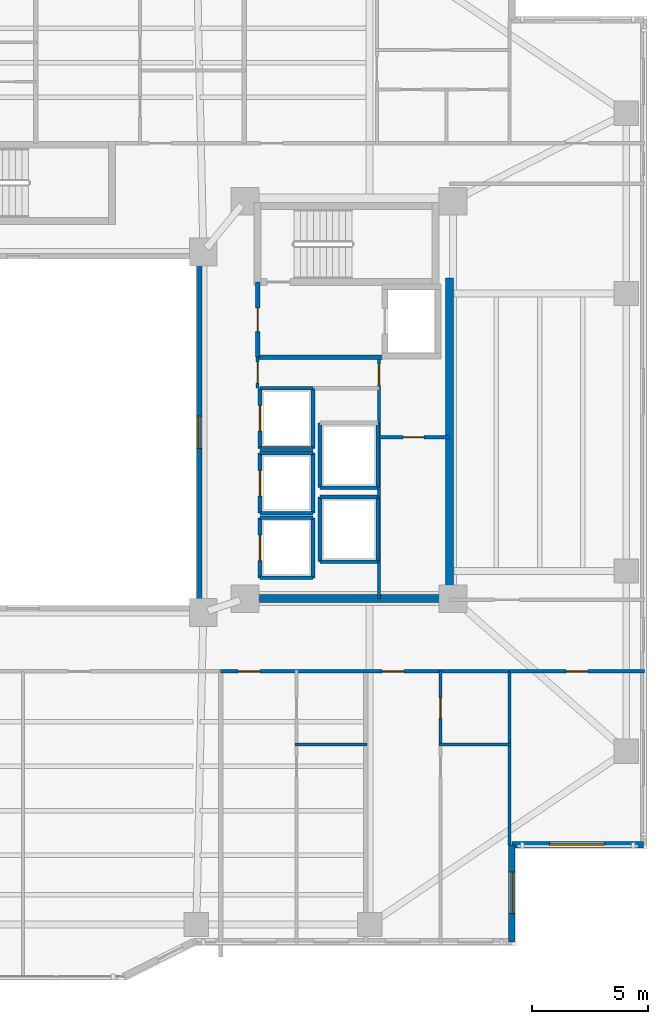
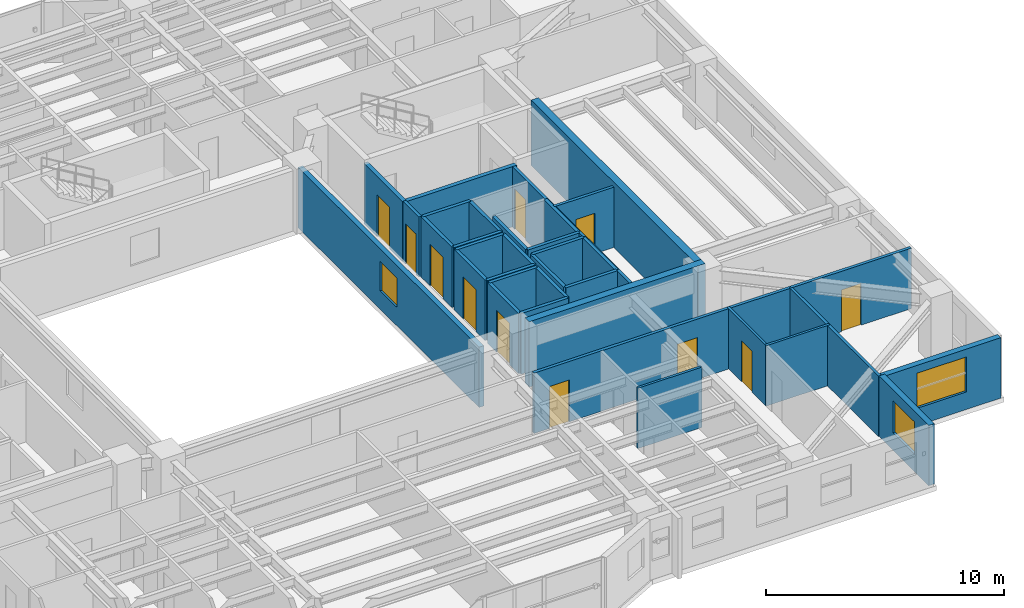
# One storey, part 8 of 18: 35 walls, 11 doors, 3 windows, 14 openings.
"""IFC4 building model written with IfcOpenShell, lengths in metres."""

from ifc_helpers import new_model, si_unit, direction, frame, frame_2d, origin, place, context, subcontext, project, spatial, rectangle, extrude, material, layer, layer_set, type_object, element, fill, save


model = new_model("IFC4")

# Units and contexts
model_context = context("Model", 3, precision=1e-05, world=origin(), true_north=direction((0.0, 1.0)))
body_context = subcontext(model_context, "Body", "Model", "MODEL_VIEW")
ifc_project = project(units=[si_unit("LENGTHUNIT", "METRE"), si_unit("AREAUNIT", "SQUARE_METRE"), si_unit("VOLUMEUNIT", "CUBIC_METRE"), si_unit("PLANEANGLEUNIT", "RADIAN"), si_unit("MASSUNIT", "GRAM", prefix="KILO")], contexts=[model_context])

# Site, building, storey
site_placement = place(None, origin())
site = spatial("IfcSite", under=ifc_project, at=site_placement, CompositionType="ELEMENT")
building_placement = place(site_placement, origin())
building = spatial("IfcBuilding", under=site, at=building_placement, Name="Tarnavaz Court Tower", CompositionType="ELEMENT")
storey_placement = place(building_placement, frame((0.0, 0.0, 101.75)))
storey = spatial("IfcBuildingStorey", under=building, at=storey_placement, Name="L27", CompositionType="ELEMENT", Elevation=101.75)

# Walls
ifc_material_1 = material(Name="Concrete C60/75", Category="concrete")
ifc_layer_1 = layer(ifc_material_1, 0.35009765625)
ifc_layer_set_1 = layer_set([ifc_layer_1], Name="Concrete C60/75")
wall_type_1 = type_object("IfcWallType", Name="WL-CORE-350-C60", PredefinedType="SHEAR", material=ifc_layer_set_1)
wall_1_placement = place(storey_placement, frame((18.449951171875, -7.375, 0.0), z_axis=(0.0, 0.0, 1.0), x_axis=(0.0, 1.0, 0.0)))
element("IfcWall", 1, at=wall_1_placement, inside=storey, type_object=wall_type_1, Name="L27 East Core Shear Wall 059", PredefinedType="SHEAR", context=body_context, shape_type="SweptSolid", body=[
    extrude(rectangle(XDim=14.050048828125, YDim=0.35009765625, at=frame_2d((7.02490234375, 0.0))), origin(), (0.0, 0.0, 1.0), 3.35009765625),
])
wall_2_placement = place(storey_placement, frame((10.074951171875, -7.199951171875, 0.0), z_axis=(0.0, 0.0, 1.0), x_axis=(1.0, 0.0, 0.0)))
element("IfcWall", 2, at=wall_2_placement, inside=storey, type_object=wall_type_1, Name="L27 East Core South Shear Wall 060", PredefinedType="SHEAR", context=body_context, shape_type="SweptSolid", body=[
    extrude(rectangle(XDim=8.550048828125, YDim=0.35009765625, at=frame_2d((4.27490234375, 0.0))), origin(), (0.0, 0.0, 1.0), 3.35009765625),
])

# Wall, opening, window
ifc_material_2 = material(Name="Precast Concrete C40/50", Category="concrete")
ifc_layer_2 = layer(ifc_material_2, 0.280029296875)
ifc_layer_set_2 = layer_set([ifc_layer_2], Name="Precast Concrete C40/50")
wall_type_2 = type_object("IfcWallType", Name="WL-EXT-280", PredefinedType="SOLIDWALL", material=ifc_layer_set_2)
wall_3_placement = place(storey_placement, frame((26.85009765625, -17.85009765625, 0.0), z_axis=(0.0, 0.0, 1.0), x_axis=(-1.0, 0.0, 0.0)))
wall_3 = element("IfcWall", 3, at=wall_3_placement, inside=storey, type_object=wall_type_2, Name="L27 Exterior Terracotta Facade Wall 13", PredefinedType="SOLIDWALL", context=body_context, shape_type="SweptSolid", body=[
    extrude(rectangle(XDim=5.7001953125, YDim=0.280029296875, at=frame_2d((2.85009765625, 0.0))), origin(), (0.0, 0.0, 1.0), 3.10009765625),
])
opening_1_placement = place(wall_3_placement, frame((1.675048828125, 0.0, 0.89990234375)))
opening_1 = element("IfcOpeningElement", 4, at=opening_1_placement, cuts=wall_3, Name="Opening W06", PredefinedType="OPENING", context=body_context, shape_type="SweptSolid", body=[
    extrude(rectangle(XDim=2.39990234375, YDim=1.800048828125, at=frame_2d((1.199951171875, 0.89990234375))), frame((0.0, 0.14990234375, 0.0), z_axis=(0.0, -1.0, 0.0), x_axis=(1.0, 0.0, 0.0)), (0.0, 0.0, 1.0), 0.300048828125),
])
ifc_material_3 = material(Name="Double-Glazed Solar Low-E Glass", Category="glass")
window_type_1 = type_object("IfcWindowType", Name="WN-APT-2400", PartitioningType="TRIPLE_PANEL_VERTICAL", PredefinedType="WINDOW", material=ifc_material_3)
window_1_placement = place(opening_1_placement, origin())
window_1 = element("IfcWindow", 5, at=window_1_placement, inside=storey, type_object=window_type_1, Name="L27 South-East Corner Reading Room Window", OverallHeight=1.800048828125, OverallWidth=2.39990234375, PartitioningType="SINGLE_PANEL", PredefinedType="WINDOW", context=body_context, shape_type="SweptSolid", body=[
    extrude(rectangle(XDim=2.39990234375, YDim=1.800048828125, at=frame_2d((1.199951171875, 0.89990234375))), frame((0.0, 0.030029296875, 0.0), z_axis=(0.0, -1.0, 0.0), x_axis=(1.0, 0.0, 0.0)), (0.0, 0.0, 1.0), 0.06005859375),
])
fill(opening_1, window_1)

wall_4_placement = place(storey_placement, frame((21.14990234375, -17.85009765625, 0.0), z_axis=(0.0, 0.0, 1.0), x_axis=(0.0, -1.0, 0.0)))
wall_4 = element("IfcWall", 6, at=wall_4_placement, inside=storey, type_object=wall_type_2, Name="L27 Exterior Terracotta Facade Wall 14", PredefinedType="SOLIDWALL", context=body_context, shape_type="SweptSolid", body=[
    extrude(rectangle(XDim=4.199951171875, YDim=0.280029296875, at=frame_2d((2.10009765625, 0.0))), origin(), (0.0, 0.0, 1.0), 3.10009765625),
])
opening_2_placement = place(wall_4_placement, frame((1.18212890625, 0.0, 0.89990234375)))
opening_2 = element("IfcOpeningElement", 7, at=opening_2_placement, cuts=wall_4, Name="Opening W01", PredefinedType="OPENING", context=body_context, shape_type="SweptSolid", body=[
    extrude(rectangle(XDim=1.800048828125, YDim=1.64990234375, at=frame_2d((0.89990234375, 0.824951171875))), frame((0.0, 0.14990234375, 0.0), z_axis=(0.0, -1.0, 0.0), x_axis=(1.0, 0.0, 0.0)), (0.0, 0.0, 1.0), 0.300048828125),
])
window_type_2 = type_object("IfcWindowType", Name="WN-APT-1800", PartitioningType="DOUBLE_PANEL_VERTICAL", PredefinedType="WINDOW", material=ifc_material_3)
window_2_placement = place(opening_2_placement, origin())
window_2 = element("IfcWindow", 8, at=window_2_placement, inside=storey, type_object=window_type_2, Name="L27 Flat 08 Kitchen Window", OverallHeight=1.64990234375, OverallWidth=1.800048828125, PartitioningType="SINGLE_PANEL", PredefinedType="WINDOW", context=body_context, shape_type="SweptSolid", body=[
    extrude(rectangle(XDim=1.800048828125, YDim=1.64990234375, at=frame_2d((0.89990234375, 0.824951171875))), frame((0.0, 0.030029296875, 0.0), z_axis=(0.0, -1.0, 0.0), x_axis=(1.0, 0.0, 0.0)), (0.0, 0.0, 1.0), 0.06005859375),
])
fill(opening_2, window_2)

# Wall, openings, doors
ifc_material_4 = material(Name="Gypsum Fire-Board on Acoustic Metal Stud", Category="masonry")
ifc_layer_3 = layer(ifc_material_4, 0.14990234375)
ifc_layer_set_3 = layer_set([ifc_layer_3], Name="Gypsum Fire-Board on Acoustic Metal Stud")
wall_type_3 = type_object("IfcWallType", Name="WL-FIRE-150", PredefinedType="PARTITIONING", material=ifc_layer_set_3)
wall_5_placement = place(storey_placement, frame((8.550048828125, -10.35009765625, 0.0), z_axis=(0.0, 0.0, 1.0), x_axis=(1.0, 0.0, 0.0)))
wall_5 = element("IfcWall", 9, at=wall_5_placement, inside=storey, type_object=wall_type_3, Name="L27 SE Horseshoe Wall 075", PredefinedType="PARTITIONING", context=body_context, shape_type="SweptSolid", body=[
    extrude(rectangle(XDim=12.5, YDim=0.14990234375, at=frame_2d((6.25, 0.0))), origin(), (0.0, 0.0, 1.0), 3.10009765625),
])
opening_3_placement = place(wall_5_placement, frame((0.75, 0.0, 0.0)))
opening_3 = element("IfcOpeningElement", 10, at=opening_3_placement, cuts=wall_5, Name="Opening D06", PredefinedType="OPENING", context=body_context, shape_type="SweptSolid", body=[
    extrude(rectangle(XDim=0.9599609375, YDim=2.14990234375, at=frame_2d((0.47998046875, 1.074951171875))), frame((0.0, 0.0849609375, 0.0), z_axis=(0.0, -1.0, 0.0), x_axis=(1.0, 0.0, 0.0)), (0.0, 0.0, 1.0), 0.169921875),
])
opening_4_placement = place(wall_5_placement, frame((6.97509765625, 0.0, 0.0)))
opening_4 = element("IfcOpeningElement", 11, at=opening_4_placement, cuts=wall_5, Name="Opening D06", PredefinedType="OPENING", context=body_context, shape_type="SweptSolid", body=[
    extrude(rectangle(XDim=0.9599609375, YDim=2.14990234375, at=frame_2d((0.47998046875, 1.074951171875))), frame((0.0, 0.0849609375, 0.0), z_axis=(0.0, -1.0, 0.0), x_axis=(1.0, 0.0, 0.0)), (0.0, 0.0, 1.0), 0.169921875),
])
ifc_material_5 = material(Name="Fire-Rated Hardwood Timber Core", Category="wood")
door_type_1 = type_object("IfcDoorType", Name="DR-FD60-950", OperationType="NOTDEFINED", PredefinedType="DOOR", material=ifc_material_5)
door_1_placement = place(opening_3_placement, origin())
door_1 = element("IfcDoor", 12, at=door_1_placement, inside=storey, type_object=door_type_1, Name="L27 Flat 07 Entrance Door", OperationType="SINGLE_SWING_RIGHT", OverallHeight=2.14990234375, OverallWidth=0.9599609375, PredefinedType="DOOR", context=body_context, shape_type="SweptSolid", body=[
    extrude(rectangle(XDim=0.9599609375, YDim=2.14990234375, at=frame_2d((0.47998046875, 1.074951171875))), frame((0.0, 0.02490234375, 0.0), z_axis=(0.0, -1.0, 0.0), x_axis=(1.0, 0.0, 0.0)), (0.0, 0.0, 1.0), 0.050048828125),
])
fill(opening_3, door_1)
door_2_placement = place(opening_4_placement, origin())
door_2 = element("IfcDoor", 13, at=door_2_placement, inside=storey, type_object=door_type_1, Name="L27 Flat 08 Entrance Door", OperationType="SINGLE_SWING_LEFT", OverallHeight=2.14990234375, OverallWidth=0.9599609375, PredefinedType="DOOR", context=body_context, shape_type="SweptSolid", body=[
    extrude(rectangle(XDim=0.9599609375, YDim=2.14990234375, at=frame_2d((0.47998046875, 1.074951171875))), frame((0.0, 0.02490234375, 0.0), z_axis=(0.0, -1.0, 0.0), x_axis=(1.0, 0.0, 0.0)), (0.0, 0.0, 1.0), 0.050048828125),
])
fill(opening_4, door_2)

# Wall, opening, door
wall_6_placement = place(storey_placement, frame((21.050048828125, -10.35009765625, 0.0), z_axis=(0.0, 0.0, 1.0), x_axis=(1.0, 0.0, 0.0)))
wall_6 = element("IfcWall", 14, at=wall_6_placement, inside=storey, type_object=wall_type_3, Name="L27 Interior Partition 124", PredefinedType="PARTITIONING", context=body_context, shape_type="SweptSolid", body=[
    extrude(rectangle(XDim=5.829833984375, YDim=0.14990234375, at=frame_2d((2.9150390625, 0.0))), origin(), (0.0, 0.0, 1.0), 3.10009765625),
])
opening_5_placement = place(wall_6_placement, frame((2.43994140625, 0.0, 0.0)))
opening_5 = element("IfcOpeningElement", 15, at=opening_5_placement, cuts=wall_6, Name="Opening D13", PredefinedType="OPENING", context=body_context, shape_type="SweptSolid", body=[
    extrude(rectangle(XDim=0.949951171875, YDim=2.14990234375, at=frame_2d((0.47509765625, 1.074951171875))), frame((0.0, 0.0849609375, 0.0), z_axis=(0.0, -1.0, 0.0), x_axis=(1.0, 0.0, 0.0)), (0.0, 0.0, 1.0), 0.169921875),
])
ifc_material_6 = material(Name="Engineered Oak Timber", Category="wood")
door_type_2 = type_object("IfcDoorType", Name="DR-INT-950", OperationType="NOTDEFINED", PredefinedType="DOOR", material=ifc_material_6)
door_3_placement = place(opening_5_placement, origin())
door_3 = element("IfcDoor", 16, at=door_3_placement, inside=storey, type_object=door_type_2, Name="L27 SE Reading Room Door", OperationType="SINGLE_SWING_LEFT", OverallHeight=2.14990234375, OverallWidth=0.949951171875, PredefinedType="DOOR", context=body_context, shape_type="SweptSolid", body=[
    extrude(rectangle(XDim=0.949951171875, YDim=2.14990234375, at=frame_2d((0.47509765625, 1.074951171875))), frame((0.0, 0.02490234375, 0.0), z_axis=(0.0, -1.0, 0.0), x_axis=(1.0, 0.0, 0.0)), (0.0, 0.0, 1.0), 0.050048828125),
])
fill(opening_5, door_3)

# Wall
ifc_material_7 = material(Name="Autoclaved Aerated Concrete Blockwork", Category="masonry")
ifc_layer_4 = layer(ifc_material_7, 0.199951171875)
ifc_layer_set_4 = layer_set([ifc_layer_4], Name="Autoclaved Aerated Concrete Blockwork")
wall_type_4 = type_object("IfcWallType", Name="WL-FIRE-200", PredefinedType="SOLIDWALL", material=ifc_layer_set_4)
wall_7_placement = place(storey_placement, frame((10.14990234375, 3.25, 0.0), z_axis=(0.0, 0.0, 1.0), x_axis=(1.0, 0.0, 0.0)))
element("IfcWall", 17, at=wall_7_placement, inside=storey, type_object=wall_type_4, Name="L27 East Firefighting Lobby Wall 015", PredefinedType="SOLIDWALL", context=body_context, shape_type="SweptSolid", body=[
    extrude(rectangle(XDim=5.400146484375, YDim=0.199951171875, at=frame_2d((2.7001953125, 0.0))), origin(), (0.0, 0.0, 1.0), 3.10009765625),
])

# Wall, opening, door
wall_8_placement = place(storey_placement, frame((10.14990234375, 3.25, 0.0), z_axis=(0.0, 0.0, 1.0), x_axis=(0.0, 1.0, 0.0)))
wall_8 = element("IfcWall", 18, at=wall_8_placement, inside=storey, type_object=wall_type_4, Name="L27 East Firefighting Lobby Wall 016", PredefinedType="SOLIDWALL", context=body_context, shape_type="SweptSolid", body=[
    extrude(rectangle(XDim=3.25, YDim=0.199951171875, at=frame_2d((1.625, 0.0))), origin(), (0.0, 0.0, 1.0), 3.10009765625),
])
opening_6_placement = place(wall_8_placement, frame((1.10009765625, 0.0, 0.0)))
opening_6 = element("IfcOpeningElement", 19, at=opening_6_placement, cuts=wall_8, Name="Opening D05", PredefinedType="OPENING", context=body_context, shape_type="SweptSolid", body=[
    extrude(rectangle(XDim=1.02001953125, YDim=2.14990234375, at=frame_2d((0.510009765625, 1.074951171875))), frame((0.0, 0.10986328125, 0.0), z_axis=(0.0, -1.0, 0.0), x_axis=(1.0, 0.0, 0.0)), (0.0, 0.0, 1.0), 0.219970703125),
])
door_type_3 = type_object("IfcDoorType", Name="DR-FD60-1000", OperationType="NOTDEFINED", PredefinedType="DOOR", material=ifc_material_5)
door_4_placement = place(opening_6_placement, origin())
door_4 = element("IfcDoor", 20, at=door_4_placement, inside=storey, type_object=door_type_3, Name="L27 East Firefighting Lobby Door", OperationType="SINGLE_SWING_LEFT", OverallHeight=2.14990234375, OverallWidth=1.02001953125, PredefinedType="DOOR", context=body_context, shape_type="SweptSolid", body=[
    extrude(rectangle(XDim=1.02001953125, YDim=2.14990234375, at=frame_2d((0.510009765625, 1.074951171875))), frame((0.0, 0.02490234375, 0.0), z_axis=(0.0, -1.0, 0.0), x_axis=(1.0, 0.0, 0.0)), (0.0, 0.0, 1.0), 0.050048828125),
])
fill(opening_6, door_4)

# Wall
ifc_material_8 = material(Name="Moisture-Resistant Gypsum Board Partition", Category="masonry")
ifc_layer_5 = layer(ifc_material_8, 0.1201171875)
ifc_layer_set_5 = layer_set([ifc_layer_5], Name="Moisture-Resistant Gypsum Board Partition")
wall_type_5 = type_object("IfcWallType", Name="WL-PART-120", PredefinedType="PARTITIONING", material=ifc_layer_set_5)
wall_9_placement = place(storey_placement, frame((11.77490234375, -13.510009765625, 0.0), z_axis=(0.0, 0.0, 1.0), x_axis=(1.0, 0.0, 0.0)))
element("IfcWall", 21, at=wall_9_placement, inside=storey, type_object=wall_type_5, Name="L27 Interior Partition 105", PredefinedType="PARTITIONING", context=body_context, shape_type="SweptSolid", body=[
    extrude(rectangle(XDim=3.110107421875, YDim=0.1201171875, at=frame_2d((1.55517578125, 0.0))), origin(), (0.0, 0.0, 1.0), 3.10009765625),
])

# Wall, opening, door
wall_10_placement = place(storey_placement, frame((18.06005859375, -13.510009765625, 0.0), z_axis=(0.0, 0.0, 1.0), x_axis=(0.0, 1.0, 0.0)))
wall_10 = element("IfcWall", 22, at=wall_10_placement, inside=storey, type_object=wall_type_5, Name="L27 Interior Partition 107", PredefinedType="PARTITIONING", context=body_context, shape_type="SweptSolid", body=[
    extrude(rectangle(XDim=3.219970703125, YDim=0.1201171875, at=frame_2d((1.60986328125, 0.0))), origin(), (0.0, 0.0, 1.0), 3.10009765625),
])
opening_7_placement = place(wall_10_placement, frame((1.139892578125, 0.0, 0.0)))
opening_7 = element("IfcOpeningElement", 23, at=opening_7_placement, cuts=wall_10, Name="Opening D14", PredefinedType="OPENING", context=body_context, shape_type="SweptSolid", body=[
    extrude(rectangle(XDim=0.8798828125, YDim=2.10009765625, at=frame_2d((0.43994140625, 1.050048828125))), frame((0.0, 0.070068359375, 0.0), z_axis=(0.0, -1.0, 0.0), x_axis=(1.0, 0.0, 0.0)), (0.0, 0.0, 1.0), 0.14013671875),
])
door_type_4 = type_object("IfcDoorType", Name="DR-INT-900", OperationType="NOTDEFINED", PredefinedType="DOOR", material=ifc_material_6)
door_5_placement = place(opening_7_placement, origin())
door_5 = element("IfcDoor", 24, at=door_5_placement, inside=storey, type_object=door_type_4, Name="L27 Flat 08 Bathroom Door", OperationType="SINGLE_SWING_LEFT", OverallHeight=2.10009765625, OverallWidth=0.8798828125, PredefinedType="DOOR", context=body_context, shape_type="SweptSolid", body=[
    extrude(rectangle(XDim=0.8798828125, YDim=2.10009765625, at=frame_2d((0.43994140625, 1.050048828125))), frame((0.0, 0.02490234375, 0.0), z_axis=(0.0, -1.0, 0.0), x_axis=(1.0, 0.0, 0.0)), (0.0, 0.0, 1.0), 0.050048828125),
])
fill(opening_7, door_5)

# Wall
wall_11_placement = place(storey_placement, frame((18.0, -13.510009765625, 0.0), z_axis=(0.0, 0.0, 1.0), x_axis=(1.0, 0.0, 0.0)))
element("IfcWall", 25, at=wall_11_placement, inside=storey, type_object=wall_type_5, Name="L27 Interior Partition 108", PredefinedType="PARTITIONING", context=body_context, shape_type="SweptSolid", body=[
    extrude(rectangle(XDim=3.110107421875, YDim=0.1201171875, at=frame_2d((1.55517578125, 0.0))), origin(), (0.0, 0.0, 1.0), 3.10009765625),
])

# Wall, opening, door
ifc_material_9 = material(Name="Gypsum Plasterboard Acoustic Partition", Category="masonry")
ifc_layer_6 = layer(ifc_material_9, 0.139892578125)
ifc_layer_set_6 = layer_set([ifc_layer_6], Name="Gypsum Plasterboard Acoustic Partition")
wall_type_6 = type_object("IfcWallType", Name="WL-PART-150", PredefinedType="PARTITIONING", material=ifc_layer_set_6)
wall_12_placement = place(storey_placement, frame((10.14990234375, 1.919921875, 0.0), z_axis=(0.0, 0.0, 1.0), x_axis=(0.0, 1.0, 0.0)))
wall_12 = element("IfcWall", 26, at=wall_12_placement, inside=storey, type_object=wall_type_6, Name="L27 Interior Partition 069", PredefinedType="PARTITIONING", context=body_context, shape_type="SweptSolid", body=[
    extrude(rectangle(XDim=1.330078125, YDim=0.139892578125, at=frame_2d((0.6650390625, 0.0))), origin(), (0.0, 0.0, 1.0), 3.10009765625),
])
opening_8_placement = place(wall_12_placement, frame((0.219970703125, 0.0, 0.0)))
opening_8 = element("IfcOpeningElement", 27, at=opening_8_placement, cuts=wall_12, Name="Opening D09", PredefinedType="OPENING", context=body_context, shape_type="SweptSolid", body=[
    extrude(rectangle(XDim=0.89990234375, YDim=2.080078125, at=frame_2d((0.449951171875, 1.0400390625))), frame((0.0, 0.079833984375, 0.0), z_axis=(0.0, -1.0, 0.0), x_axis=(1.0, 0.0, 0.0)), (0.0, 0.0, 1.0), 0.159912109375),
])
door_type_5 = type_object("IfcDoorType", Name="DR-FD30-900", OperationType="NOTDEFINED", PredefinedType="DOOR", material=ifc_material_5)
door_6_placement = place(opening_8_placement, origin())
door_6 = element("IfcDoor", 28, at=door_6_placement, inside=storey, type_object=door_type_5, Name="L27 East Core Service Lobby Door", OperationType="SINGLE_SWING_LEFT", OverallHeight=2.080078125, OverallWidth=0.89990234375, PredefinedType="DOOR", context=body_context, shape_type="SweptSolid", body=[
    extrude(rectangle(XDim=0.89990234375, YDim=2.080078125, at=frame_2d((0.449951171875, 1.0400390625))), frame((0.0, 0.02490234375, 0.0), z_axis=(0.0, -1.0, 0.0), x_axis=(1.0, 0.0, 0.0)), (0.0, 0.0, 1.0), 0.050048828125),
])
fill(opening_8, door_6)

wall_13_placement = place(storey_placement, frame((15.39990234375, -7.199951171875, 0.0), z_axis=(0.0, 0.0, 1.0), x_axis=(0.0, 1.0, 0.0)))
wall_13 = element("IfcWall", 29, at=wall_13_placement, inside=storey, type_object=wall_type_6, Name="L27 Interior Partition 070", PredefinedType="PARTITIONING", context=body_context, shape_type="SweptSolid", body=[
    extrude(rectangle(XDim=10.449951171875, YDim=0.139892578125, at=frame_2d((5.22509765625, 0.0))), origin(), (0.0, 0.0, 1.0), 3.10009765625),
])
opening_9_placement = place(wall_13_placement, frame((9.25, 0.0, 0.0)))
opening_9 = element("IfcOpeningElement", 30, at=opening_9_placement, cuts=wall_13, Name="Opening D09", PredefinedType="OPENING", context=body_context, shape_type="SweptSolid", body=[
    extrude(rectangle(XDim=0.89990234375, YDim=2.080078125, at=frame_2d((0.449951171875, 1.0400390625))), frame((0.0, 0.079833984375, 0.0), z_axis=(0.0, -1.0, 0.0), x_axis=(1.0, 0.0, 0.0)), (0.0, 0.0, 1.0), 0.159912109375),
])
door_7_placement = place(opening_9_placement, origin())
door_7 = element("IfcDoor", 31, at=door_7_placement, inside=storey, type_object=door_type_5, Name="L27 East Wet Riser Door", OperationType="SINGLE_SWING_RIGHT", OverallHeight=2.080078125, OverallWidth=0.89990234375, PredefinedType="DOOR", context=body_context, shape_type="SweptSolid", body=[
    extrude(rectangle(XDim=0.89990234375, YDim=2.080078125, at=frame_2d((0.449951171875, 1.0400390625))), frame((0.0, 0.02490234375, 0.0), z_axis=(0.0, -1.0, 0.0), x_axis=(1.0, 0.0, 0.0)), (0.0, 0.0, 1.0), 0.050048828125),
])
fill(opening_9, door_7)

wall_14_placement = place(storey_placement, frame((15.39990234375, -0.219970703125, 0.0), z_axis=(0.0, 0.0, 1.0), x_axis=(1.0, 0.0, 0.0)))
wall_14 = element("IfcWall", 32, at=wall_14_placement, inside=storey, type_object=wall_type_6, Name="L27 Interior Partition 071", PredefinedType="PARTITIONING", context=body_context, shape_type="SweptSolid", body=[
    extrude(rectangle(XDim=3.050048828125, YDim=0.139892578125, at=frame_2d((1.52490234375, 0.0))), origin(), (0.0, 0.0, 1.0), 3.10009765625),
])
opening_10_placement = place(wall_14_placement, frame((1.050048828125, 0.0, 0.0)))
opening_10 = element("IfcOpeningElement", 33, at=opening_10_placement, cuts=wall_14, Name="Opening D09", PredefinedType="OPENING", context=body_context, shape_type="SweptSolid", body=[
    extrude(rectangle(XDim=0.89990234375, YDim=2.080078125, at=frame_2d((0.449951171875, 1.0400390625))), frame((0.0, 0.079833984375, 0.0), z_axis=(0.0, -1.0, 0.0), x_axis=(1.0, 0.0, 0.0)), (0.0, 0.0, 1.0), 0.159912109375),
])
door_8_placement = place(opening_10_placement, origin())
door_8 = element("IfcDoor", 34, at=door_8_placement, inside=storey, type_object=door_type_5, Name="L27 East Electrical Plant Door", OperationType="SINGLE_SWING_LEFT", OverallHeight=2.080078125, OverallWidth=0.89990234375, PredefinedType="DOOR", context=body_context, shape_type="SweptSolid", body=[
    extrude(rectangle(XDim=0.89990234375, YDim=2.080078125, at=frame_2d((0.449951171875, 1.0400390625))), frame((0.0, 0.02490234375, 0.0), z_axis=(0.0, -1.0, 0.0), x_axis=(1.0, 0.0, 0.0)), (0.0, 0.0, 1.0), 0.050048828125),
])
fill(opening_10, door_8)

# Wall
wall_15_placement = place(storey_placement, frame((21.050048828125, -17.85009765625, 0.0), z_axis=(0.0, 0.0, 1.0), x_axis=(0.0, 1.0, 0.0)))
element("IfcWall", 35, at=wall_15_placement, inside=storey, type_object=wall_type_6, Name="L27 Interior Partition 118", PredefinedType="PARTITIONING", context=body_context, shape_type="SweptSolid", body=[
    extrude(rectangle(XDim=7.5, YDim=0.139892578125, at=frame_2d((3.75, 0.0))), origin(), (0.0, 0.0, 1.0), 3.10009765625),
])

# Wall, opening, door
ifc_layer_7 = layer(ifc_material_7, 0.159912109375)
ifc_layer_set_7 = layer_set([ifc_layer_7], Name="Autoclaved Aerated Concrete Blockwork")
wall_type_7 = type_object("IfcWallType", Name="WL-SHAFT-150", PredefinedType="SOLIDWALL", material=ifc_layer_set_7)
wall_16_placement = place(storey_placement, frame((10.25, -6.300048828125, 0.0), z_axis=(0.0, 0.0, 1.0), x_axis=(0.0, 1.0, 0.0)))
wall_16 = element("IfcWall", 36, at=wall_16_placement, inside=storey, type_object=wall_type_7, Name="L27 Lift PL-M1 Shaft Wall 037", PredefinedType="SOLIDWALL", context=body_context, shape_type="SweptSolid", body=[
    extrude(rectangle(XDim=2.60009765625, YDim=0.159912109375, at=frame_2d((1.300048828125, 0.0))), origin(), (0.0, 0.0, 1.0), 3.10009765625),
])
opening_11_placement = place(wall_16_placement, frame((0.75, 0.0, 0.0)))
opening_11 = element("IfcOpeningElement", 37, at=opening_11_placement, cuts=wall_16, Name="Opening LD1", PredefinedType="OPENING", context=body_context, shape_type="SweptSolid", body=[
    extrude(rectangle(XDim=1.10009765625, YDim=2.14990234375, at=frame_2d((0.550048828125, 1.074951171875))), frame((0.0, 0.08984375, 0.0), z_axis=(0.0, -1.0, 0.0), x_axis=(1.0, 0.0, 0.0)), (0.0, 0.0, 1.0), 0.179931640625),
])
ifc_material_10 = material(Name="Stainless Steel", Category="steel")
door_type_6 = type_object("IfcDoorType", Name="DR-LD-1100", OperationType="NOTDEFINED", PredefinedType="DOOR", material=ifc_material_10)
door_9_placement = place(opening_11_placement, origin())
door_9 = element("IfcDoor", 38, at=door_9_placement, inside=storey, type_object=door_type_6, Name="L27 Lift Landing Door LD-PL-M1", OperationType="SLIDING_TO_LEFT", OverallHeight=2.14990234375, OverallWidth=1.10009765625, PredefinedType="DOOR", context=body_context, shape_type="SweptSolid", body=[
    extrude(rectangle(XDim=1.10009765625, YDim=2.14990234375, at=frame_2d((0.550048828125, 1.074951171875))), frame((0.0, 0.02490234375, 0.0), z_axis=(0.0, -1.0, 0.0), x_axis=(1.0, 0.0, 0.0)), (0.0, 0.0, 1.0), 0.050048828125),
])
fill(opening_11, door_9)

# Walls
wall_17_placement = place(storey_placement, frame((12.550048828125, -6.300048828125, 0.0), z_axis=(0.0, 0.0, 1.0), x_axis=(0.0, 1.0, 0.0)))
element("IfcWall", 39, at=wall_17_placement, inside=storey, type_object=wall_type_7, Name="L27 Lift PL-M1 Shaft Wall 038", PredefinedType="SOLIDWALL", context=body_context, shape_type="SweptSolid", body=[
    extrude(rectangle(XDim=2.60009765625, YDim=0.159912109375, at=frame_2d((1.300048828125, 0.0))), origin(), (0.0, 0.0, 1.0), 3.10009765625),
])
for number, where, z_axis, x_axis, name in (
    (40, (10.25, -6.300048828125, 0.0), (0.0, 0.0, 1.0), (1.0, 0.0, 0.0), "L27 Lift PL-M1 Shaft Wall 039"),
    (41, (10.25, -3.699951171875, 0.0), (0.0, 0.0, 1.0), (1.0, 0.0, 0.0), "L27 Lift PL-M1 Shaft Wall 040"),
):
    element("IfcWall", number, at=place(storey_placement, frame(where, z_axis=z_axis, x_axis=x_axis)), inside=storey, type_object=wall_type_7, Name=name, PredefinedType="SOLIDWALL", context=body_context, shape_type="SweptSolid", body=[
        extrude(rectangle(XDim=2.300048828125, YDim=0.159912109375, at=frame_2d((1.14990234375, 0.0))), origin(), (0.0, 0.0, 1.0), 3.10009765625),
    ])

# Wall, opening, door
wall_18_placement = place(storey_placement, frame((10.25, -3.5, 0.0), z_axis=(0.0, 0.0, 1.0), x_axis=(0.0, 1.0, 0.0)))
wall_18 = element("IfcWall", 42, at=wall_18_placement, inside=storey, type_object=wall_type_7, Name="L27 Lift PL-M2 Shaft Wall 041", PredefinedType="SOLIDWALL", context=body_context, shape_type="SweptSolid", body=[
    extrude(rectangle(XDim=2.60009765625, YDim=0.159912109375, at=frame_2d((1.300048828125, 0.0))), origin(), (0.0, 0.0, 1.0), 3.10009765625),
])
opening_12_placement = place(wall_18_placement, frame((0.75, 0.0, 0.0)))
opening_12 = element("IfcOpeningElement", 43, at=opening_12_placement, cuts=wall_18, Name="Opening LD1", PredefinedType="OPENING", context=body_context, shape_type="SweptSolid", body=[
    extrude(rectangle(XDim=1.10009765625, YDim=2.14990234375, at=frame_2d((0.550048828125, 1.074951171875))), frame((0.0, 0.08984375, 0.0), z_axis=(0.0, -1.0, 0.0), x_axis=(1.0, 0.0, 0.0)), (0.0, 0.0, 1.0), 0.179931640625),
])
door_10_placement = place(opening_12_placement, origin())
door_10 = element("IfcDoor", 44, at=door_10_placement, inside=storey, type_object=door_type_6, Name="L27 Lift Landing Door LD-PL-M2", OperationType="SLIDING_TO_LEFT", OverallHeight=2.14990234375, OverallWidth=1.10009765625, PredefinedType="DOOR", context=body_context, shape_type="SweptSolid", body=[
    extrude(rectangle(XDim=1.10009765625, YDim=2.14990234375, at=frame_2d((0.550048828125, 1.074951171875))), frame((0.0, 0.02490234375, 0.0), z_axis=(0.0, -1.0, 0.0), x_axis=(1.0, 0.0, 0.0)), (0.0, 0.0, 1.0), 0.050048828125),
])
fill(opening_12, door_10)

# Walls
wall_19_placement = place(storey_placement, frame((12.550048828125, -3.5, 0.0), z_axis=(0.0, 0.0, 1.0), x_axis=(0.0, 1.0, 0.0)))
element("IfcWall", 45, at=wall_19_placement, inside=storey, type_object=wall_type_7, Name="L27 Lift PL-M2 Shaft Wall 042", PredefinedType="SOLIDWALL", context=body_context, shape_type="SweptSolid", body=[
    extrude(rectangle(XDim=2.60009765625, YDim=0.159912109375, at=frame_2d((1.300048828125, 0.0))), origin(), (0.0, 0.0, 1.0), 3.10009765625),
])
for number, where, z_axis, x_axis, name in (
    (46, (10.25, -3.5, 0.0), (0.0, 0.0, 1.0), (1.0, 0.0, 0.0), "L27 Lift PL-M2 Shaft Wall 043"),
    (47, (10.25, -0.89990234375, 0.0), (0.0, 0.0, 1.0), (1.0, 0.0, 0.0), "L27 Lift PL-M2 Shaft Wall 044"),
):
    element("IfcWall", number, at=place(storey_placement, frame(where, z_axis=z_axis, x_axis=x_axis)), inside=storey, type_object=wall_type_7, Name=name, PredefinedType="SOLIDWALL", context=body_context, shape_type="SweptSolid", body=[
        extrude(rectangle(XDim=2.300048828125, YDim=0.159912109375, at=frame_2d((1.14990234375, 0.0))), origin(), (0.0, 0.0, 1.0), 3.10009765625),
    ])

# Wall, opening, door
wall_20_placement = place(storey_placement, frame((10.25, -0.699951171875, 0.0), z_axis=(0.0, 0.0, 1.0), x_axis=(0.0, 1.0, 0.0)))
wall_20 = element("IfcWall", 48, at=wall_20_placement, inside=storey, type_object=wall_type_7, Name="L27 Lift PL-M3 Shaft Wall 045", PredefinedType="SOLIDWALL", context=body_context, shape_type="SweptSolid", body=[
    extrude(rectangle(XDim=2.599853515625, YDim=0.159912109375, at=frame_2d((1.2998046875, 0.0))), origin(), (0.0, 0.0, 1.0), 3.10009765625),
])
opening_13_placement = place(wall_20_placement, frame((0.75, 0.0, 0.0)))
opening_13 = element("IfcOpeningElement", 49, at=opening_13_placement, cuts=wall_20, Name="Opening LD1", PredefinedType="OPENING", context=body_context, shape_type="SweptSolid", body=[
    extrude(rectangle(XDim=1.10009765625, YDim=2.14990234375, at=frame_2d((0.550048828125, 1.074951171875))), frame((0.0, 0.08984375, 0.0), z_axis=(0.0, -1.0, 0.0), x_axis=(1.0, 0.0, 0.0)), (0.0, 0.0, 1.0), 0.179931640625),
])
door_11_placement = place(opening_13_placement, origin())
door_11 = element("IfcDoor", 50, at=door_11_placement, inside=storey, type_object=door_type_6, Name="L27 Lift Landing Door LD-PL-M3", OperationType="SLIDING_TO_LEFT", OverallHeight=2.14990234375, OverallWidth=1.10009765625, PredefinedType="DOOR", context=body_context, shape_type="SweptSolid", body=[
    extrude(rectangle(XDim=1.10009765625, YDim=2.14990234375, at=frame_2d((0.550048828125, 1.074951171875))), frame((0.0, 0.02490234375, 0.0), z_axis=(0.0, -1.0, 0.0), x_axis=(1.0, 0.0, 0.0)), (0.0, 0.0, 1.0), 0.050048828125),
])
fill(opening_13, door_11)

# Walls
wall_21_placement = place(storey_placement, frame((12.550048828125, -0.699951171875, 0.0), z_axis=(0.0, 0.0, 1.0), x_axis=(0.0, 1.0, 0.0)))
element("IfcWall", 51, at=wall_21_placement, inside=storey, type_object=wall_type_7, Name="L27 Lift PL-M3 Shaft Wall 046", PredefinedType="SOLIDWALL", context=body_context, shape_type="SweptSolid", body=[
    extrude(rectangle(XDim=2.599853515625, YDim=0.159912109375, at=frame_2d((1.2998046875, 0.0))), origin(), (0.0, 0.0, 1.0), 3.10009765625),
])
for number, where, z_axis, x_axis, name in (
    (52, (10.25, -0.699951171875, 0.0), (0.0, 0.0, 1.0), (1.0, 0.0, 0.0), "L27 Lift PL-M3 Shaft Wall 047"),
    (53, (10.25, 1.89990234375, 0.0), (0.0, 0.0, 1.0), (1.0, 0.0, 0.0), "L27 Lift PL-M3 Shaft Wall 048"),
):
    element("IfcWall", number, at=place(storey_placement, frame(where, z_axis=z_axis, x_axis=x_axis)), inside=storey, type_object=wall_type_7, Name=name, PredefinedType="SOLIDWALL", context=body_context, shape_type="SweptSolid", body=[
        extrude(rectangle(XDim=2.300048828125, YDim=0.159912109375, at=frame_2d((1.14990234375, 0.0))), origin(), (0.0, 0.0, 1.0), 3.10009765625),
    ])
for number, where, z_axis, x_axis, name in (
    (54, (12.85009765625, -5.60009765625, 0.0), (0.0, 0.0, 1.0), (0.0, 1.0, 0.0), "L27 Lift PL-OB1 Shaft Wall 049"),
    (55, (15.35009765625, -5.60009765625, 0.0), (0.0, 0.0, 1.0), (0.0, 1.0, 0.0), "L27 Lift PL-OB1 Shaft Wall 050"),
):
    element("IfcWall", number, at=place(storey_placement, frame(where, z_axis=z_axis, x_axis=x_axis)), inside=storey, type_object=wall_type_7, Name=name, PredefinedType="SOLIDWALL", context=body_context, shape_type="SweptSolid", body=[
        extrude(rectangle(XDim=2.800048828125, YDim=0.159912109375, at=frame_2d((1.39990234375, 0.0))), origin(), (0.0, 0.0, 1.0), 3.10009765625),
    ])
for number, where, z_axis, x_axis, name in (
    (56, (12.85009765625, -5.60009765625, 0.0), (0.0, 0.0, 1.0), (1.0, 0.0, 0.0), "L27 Lift PL-OB1 Shaft Wall 051"),
    (57, (12.85009765625, -2.800048828125, 0.0), (0.0, 0.0, 1.0), (1.0, 0.0, 0.0), "L27 Lift PL-OB1 Shaft Wall 052"),
):
    element("IfcWall", number, at=place(storey_placement, frame(where, z_axis=z_axis, x_axis=x_axis)), inside=storey, type_object=wall_type_7, Name=name, PredefinedType="SOLIDWALL", context=body_context, shape_type="SweptSolid", body=[
        extrude(rectangle(XDim=2.5, YDim=0.159912109375, at=frame_2d((1.25, 0.0))), origin(), (0.0, 0.0, 1.0), 3.10009765625),
    ])
for number, where, z_axis, x_axis, name in (
    (58, (12.85009765625, -2.39990234375, 0.0), (0.0, 0.0, 1.0), (0.0, 1.0, 0.0), "L27 Lift PL-OB2 Shaft Wall 053"),
    (59, (15.35009765625, -2.39990234375, 0.0), (0.0, 0.0, 1.0), (0.0, 1.0, 0.0), "L27 Lift PL-OB2 Shaft Wall 054"),
):
    element("IfcWall", number, at=place(storey_placement, frame(where, z_axis=z_axis, x_axis=x_axis)), inside=storey, type_object=wall_type_7, Name=name, PredefinedType="SOLIDWALL", context=body_context, shape_type="SweptSolid", body=[
        extrude(rectangle(XDim=2.7998046875, YDim=0.159912109375, at=frame_2d((1.39990234375, 0.0))), origin(), (0.0, 0.0, 1.0), 3.10009765625),
    ])
wall_22_placement = place(storey_placement, frame((12.85009765625, -2.39990234375, 0.0), z_axis=(0.0, 0.0, 1.0), x_axis=(1.0, 0.0, 0.0)))
element("IfcWall", 60, at=wall_22_placement, inside=storey, type_object=wall_type_7, Name="L27 Lift PL-OB2 Shaft Wall 055", PredefinedType="SOLIDWALL", context=body_context, shape_type="SweptSolid", body=[
    extrude(rectangle(XDim=2.5, YDim=0.159912109375, at=frame_2d((1.25, 0.0))), origin(), (0.0, 0.0, 1.0), 3.10009765625),
])

# Wall, opening, window
ifc_layer_8 = layer(ifc_material_2, 0.239990234375)
ifc_layer_set_8 = layer_set([ifc_layer_8], Name="Precast Concrete C40/50")
wall_type_8 = type_object("IfcWallType", Name="WL-WELL-240", PredefinedType="SOLIDWALL", material=ifc_layer_set_8)
wall_23_placement = place(storey_placement, frame((7.6201171875, -7.6201171875, 0.0), z_axis=(0.0, 0.0, 1.0), x_axis=(0.0, 1.0, 0.0)))
wall_23 = element("IfcWall", 61, at=wall_23_placement, inside=storey, type_object=wall_type_8, Name="L27 Badgir Light-Well Exterior Wall E", PredefinedType="SOLIDWALL", context=body_context, shape_type="SweptSolid", body=[
    extrude(rectangle(XDim=15.240234375, YDim=0.239990234375, at=frame_2d((7.6201171875, 0.0))), origin(), (0.0, 0.0, 1.0), 3.10009765625),
])
opening_14_placement = place(wall_23_placement, frame((6.919921875, 0.0, 0.949951171875)))
opening_14 = element("IfcOpeningElement", 62, at=opening_14_placement, cuts=wall_23, Name="Opening W13", PredefinedType="OPENING", context=body_context, shape_type="SweptSolid", body=[
    extrude(rectangle(XDim=1.39990234375, YDim=1.5, at=frame_2d((0.699951171875, 0.75))), frame((0.0, 0.1298828125, 0.0), z_axis=(0.0, -1.0, 0.0), x_axis=(1.0, 0.0, 0.0)), (0.0, 0.0, 1.0), 0.260009765625),
])
window_type_3 = type_object("IfcWindowType", Name="WN-WEL-1400", PartitioningType="SINGLE_PANEL", PredefinedType="WINDOW", material=ifc_material_3)
window_3_placement = place(opening_14_placement, origin())
window_3 = element("IfcWindow", 63, at=window_3_placement, inside=storey, type_object=window_type_3, Name="L27 Courtyard Gallery Window E", OverallHeight=1.5, OverallWidth=1.39990234375, PartitioningType="SINGLE_PANEL", PredefinedType="WINDOW", context=body_context, shape_type="SweptSolid", body=[
    extrude(rectangle(XDim=1.39990234375, YDim=1.5, at=frame_2d((0.699951171875, 0.75))), frame((0.0, 0.030029296875, 0.0), z_axis=(0.0, -1.0, 0.0), x_axis=(1.0, 0.0, 0.0)), (0.0, 0.0, 1.0), 0.06005859375),
])
fill(opening_14, window_3)

save(model, "model.ifc")
